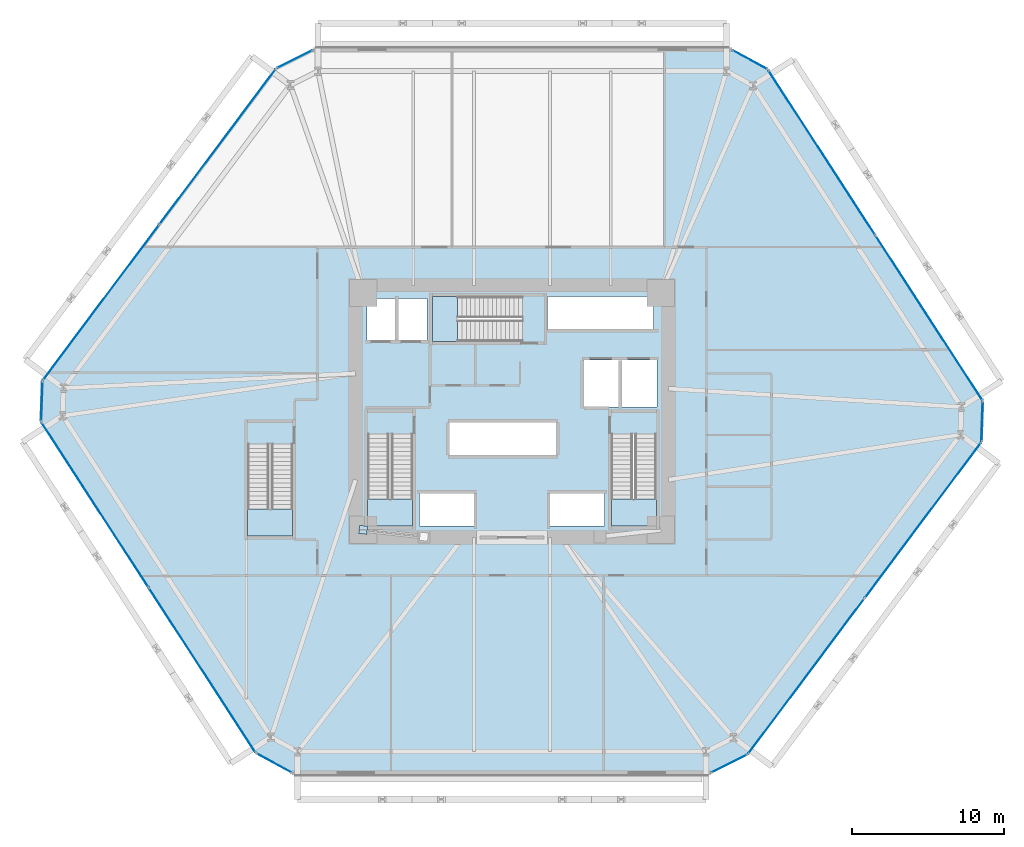
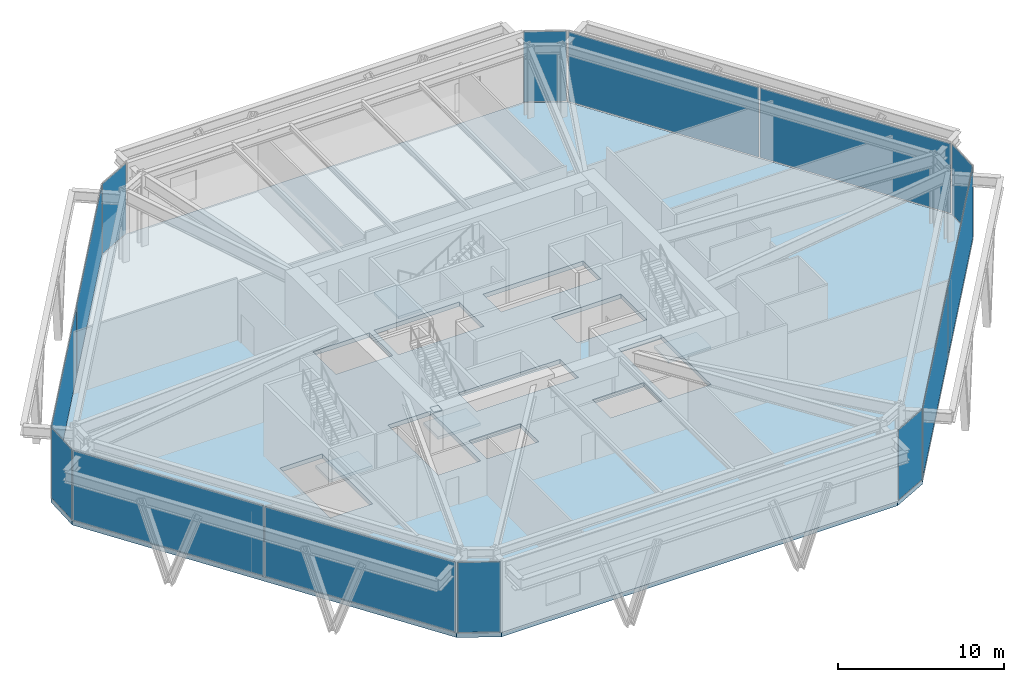
# One storey, part 12 of 19: 15 plates, 5 slabs, 14 elements without a shape of their own.
"""IFC4 building model written with IfcOpenShell, lengths in metres."""

from ifc_helpers import new_model, si_unit, direction, frame, origin, origin_2d, place, context, subcontext, project, spatial, polyline, rectangle, outline, extrude, source, transform, mapped, material, layer, layer_set, type_object, type_shapes, element, aggregate, save


model = new_model("IFC4")

# Units and contexts
model_context = context("Model", 3, precision=1e-05, world=origin(), true_north=direction((0.0, 1.0)))
body_context = subcontext(model_context, "Body", "Model", "MODEL_VIEW")
ifc_project = project(units=[si_unit("LENGTHUNIT", "METRE"), si_unit("AREAUNIT", "SQUARE_METRE"), si_unit("VOLUMEUNIT", "CUBIC_METRE"), si_unit("PLANEANGLEUNIT", "RADIAN"), si_unit("MASSUNIT", "GRAM", prefix="KILO")], contexts=[model_context])

# Site, building, storey
site_placement = place(None, origin())
site = spatial("IfcSite", under=ifc_project, at=site_placement, CompositionType="ELEMENT")
building_placement = place(site_placement, origin())
building = spatial("IfcBuilding", under=site, at=building_placement, Name="Durnholm Broadcast Tower", CompositionType="ELEMENT")
storey_placement = place(building_placement, frame((0.0, 0.0, 15.60009765625)))
storey = spatial("IfcBuildingStorey", under=building, at=storey_placement, Name="L03", CompositionType="ELEMENT", Elevation=15.60009765625)

# Slab
ifc_material_1 = material(Name="Concrete C50/60", Category="concrete")
ifc_layer_1 = layer(ifc_material_1, 0.320068359375)
ifc_layer_set_1 = layer_set([ifc_layer_1], Name="Concrete C50/60")
slab_type_1 = type_object("IfcSlabType", Name="SLAB-FLR-320", PredefinedType="FLOOR", material=ifc_layer_set_1)
slab_1_placement = place(storey_placement, frame((0.0, 0.0, -0.320068359375)))
element("IfcSlab", 1, at=slab_1_placement, inside=storey, type_object=slab_type_1, Name="L03 structural floor slab", PredefinedType="FLOOR", context=body_context, shape_type="SweptSolid", body=[
    extrude(outline(polyline([(-16.847412109375, -22.510986328125), (-14.47509765625, -23.800048828125), (13.102783203125, -23.800048828125), (15.51708984375, -22.59130859375), (30.913818359375, -2.01708984375), (31.00439453125, 0.681396484375), (16.847412109375, 22.510986328125), (14.47509765625, 23.800048828125), (-13.102783203125, 23.800048828125), (-15.51708984375, 22.59130859375), (-30.913818359375, 2.01708984375), (-31.00439453125, -0.681396484375), (-16.847412109375, -22.510986328125)]), holes=[polyline([(-2.5, -5.35009765625), (-6.10009765625, -5.35009765625), (-6.10009765625, -7.550048828125), (-2.5, -7.550048828125), (-2.5, -5.35009765625)]), polyline([(6.10009765625, -5.35009765625), (2.5, -5.35009765625), (2.5, -7.550048828125), (6.10009765625, -7.550048828125), (6.10009765625, -5.35009765625)]), polyline([(-14.43994140625, -8.199951171875), (-14.43994140625, -2.14990234375), (-17.39990234375, -2.14990234375), (-17.39990234375, -8.199951171875), (-14.43994140625, -8.199951171875)]), polyline([(-9.5, -7.550048828125), (-6.5400390625, -7.550048828125), (-6.5400390625, -1.5), (-9.5, -1.5), (-9.5, -7.550048828125)]), polyline([(6.5400390625, -7.550048828125), (9.5, -7.550048828125), (9.5, -1.5), (6.5400390625, -1.5), (6.5400390625, -7.550048828125)]), polyline([(2.949951171875, -0.699951171875), (-4.14990234375, -0.699951171875), (-4.14990234375, -2.89990234375), (2.949951171875, -2.89990234375), (2.949951171875, -0.699951171875)]), polyline([(9.550048828125, 3.39990234375), (4.699951171875, 3.39990234375), (4.699951171875, 0.300048828125), (9.550048828125, 0.300048828125), (9.550048828125, 3.39990234375)]), polyline([(-5.60009765625, 7.449951171875), (-9.550048828125, 7.449951171875), (-9.550048828125, 4.699951171875), (-5.60009765625, 4.699951171875), (-5.60009765625, 7.449951171875)]), polyline([(-5.25, 7.56005859375), (-5.25, 4.60009765625), (0.699951171875, 4.60009765625), (0.699951171875, 7.56005859375), (-5.25, 7.56005859375)]), polyline([(9.31005859375, 5.39990234375), (9.31005859375, 7.550048828125), (2.35009765625, 7.550048828125), (2.35009765625, 5.39990234375), (9.31005859375, 5.39990234375)])]), origin(), (0.0, 0.0, 1.0), 0.320068359375),
])

# Stair, slab
stair_type = type_object("IfcStairType", Name="STAIR-DL-32R1750", PredefinedType="HALF_TURN_STAIR", material=ifc_material_1)
stair_1_placement = place(storey_placement, origin())
stair_1 = element("IfcStair", 2, at=stair_1_placement, inside=storey, type_object=stair_type, Name="L03 ST-1", PredefinedType="HALF_TURN_STAIR")
ifc_layer_2 = layer(ifc_material_1, 0.199951171875)
ifc_layer_set_2 = layer_set([ifc_layer_2], Name="Concrete C50/60")
slab_type_2 = type_object("IfcSlabType", Name="SLAB-LND-200", PredefinedType="LANDING", material=ifc_layer_set_2)
slab_2_placement = place(storey_placement, frame((0.0, 0.0, 2.599853515625)))
slab_2 = element("IfcSlab", 3, at=slab_2_placement, type_object=slab_type_2, Name="ST-1 landing 1", PredefinedType="LANDING", context=body_context, shape_type="SweptSolid", body=[
    extrude(outline(polyline([(-9.5, -5.77490234375), (-9.5, -7.550048828125), (-6.5400390625, -7.550048828125), (-6.5400390625, -5.77490234375), (-9.5, -5.77490234375)])), origin(), (0.0, 0.0, 1.0), 0.199951171875),
])
aggregate(stair_1, [slab_2])

stair_2_placement = place(storey_placement, origin())
stair_2 = element("IfcStair", 4, at=stair_2_placement, inside=storey, type_object=stair_type, Name="L03 ST-2", PredefinedType="HALF_TURN_STAIR")
slab_3_placement = place(storey_placement, frame((0.0, 0.0, 2.599853515625)))
slab_3 = element("IfcSlab", 5, at=slab_3_placement, type_object=slab_type_2, Name="ST-2 landing 1", PredefinedType="LANDING", context=body_context, shape_type="SweptSolid", body=[
    extrude(outline(polyline([(6.5400390625, -5.77490234375), (6.5400390625, -7.550048828125), (9.5, -7.550048828125), (9.5, -5.77490234375), (6.5400390625, -5.77490234375)])), origin(), (0.0, 0.0, 1.0), 0.199951171875),
])
aggregate(stair_2, [slab_3])

stair_3_placement = place(storey_placement, origin())
stair_3 = element("IfcStair", 6, at=stair_3_placement, inside=storey, type_object=stair_type, Name="L03 ST-3", PredefinedType="HALF_TURN_STAIR")
slab_4_placement = place(storey_placement, frame((0.0, 0.0, 2.599853515625)))
slab_4 = element("IfcSlab", 7, at=slab_4_placement, type_object=slab_type_2, Name="ST-3 landing 1", PredefinedType="LANDING", context=body_context, shape_type="SweptSolid", body=[
    extrude(outline(polyline([(-3.574951171875, 7.56005859375), (-5.25, 7.56005859375), (-5.25, 4.60009765625), (-3.574951171875, 4.60009765625), (-3.574951171875, 7.56005859375)])), origin(), (0.0, 0.0, 1.0), 0.199951171875),
])
aggregate(stair_3, [slab_4])

stair_4_placement = place(storey_placement, origin())
stair_4 = element("IfcStair", 8, at=stair_4_placement, inside=storey, type_object=stair_type, Name="L03 ST-4", PredefinedType="HALF_TURN_STAIR")
slab_5_placement = place(storey_placement, frame((0.0, 0.0, 2.599853515625)))
slab_5 = element("IfcSlab", 9, at=slab_5_placement, type_object=slab_type_2, Name="ST-4 landing 1", PredefinedType="LANDING", context=body_context, shape_type="SweptSolid", body=[
    extrude(outline(polyline([(-17.39990234375, -6.425048828125), (-17.39990234375, -8.199951171875), (-14.43994140625, -8.199951171875), (-14.43994140625, -6.425048828125), (-17.39990234375, -6.425048828125)])), origin(), (0.0, 0.0, 1.0), 0.199951171875),
])
aggregate(stair_4, [slab_5])

# Plate
ifc_material_2 = material(Name="Steel ASTM A572 Grade 50", Category="steel")
ifc_layer_3 = layer(ifc_material_2, 0.0400390625)
ifc_layer_set_3 = layer_set([ifc_layer_3], Name="Steel ASTM A572 Grade 50")
plate_type_1 = type_object("IfcPlateType", Name="PLT-KN-CAP", PredefinedType="USERDEFINED", material=ifc_layer_set_3)
shared_shape_1 = source(origin(), body_context, "Body", "SweptSolid", [
    extrude(rectangle(XDim=0.5400390625, YDim=0.5400390625, at=origin_2d()), origin(), (0.0, 0.0, 1.0), 0.0400390625),
])
type_shapes(plate_type_1, [shared_shape_1])
plate_1_placement = place(storey_placement, frame((-9.800048828125, -7.800048828125, 5.091064453125), z_axis=(0.0, 0.0, 1.0), x_axis=(-0.99372894862, 0.111815815852, 0.0)))
element("IfcPlate", 10, at=plate_1_placement, inside=storey, type_object=plate_type_1, Name="L03 hollow section end cap plate STL-STG-L03-1 2", ObjectType="CAP_PLATE", PredefinedType="USERDEFINED", context=body_context, shape_type="MappedRepresentation", body=[
    mapped(shared_shape_1, transform((0.0, 0.0, 0.0), x_axis=(1.0, 0.0, 0.0), y_axis=(0.0, 1.0, 0.0), z_axis=(0.0, 0.0, 1.0), scale=1.0)),
])

# Curtain wall, plate
ifc_material_3 = material(Name="Aluminium and Solar Control IGU", Category="aluminium")
ifc_layer_4 = layer(ifc_material_3, 0.1650390625)
ifc_layer_set_4 = layer_set([ifc_layer_4], Name="Aluminium and Solar Control IGU")
curtain_wall_type_1 = type_object("IfcCurtainWallType", Name="CW-SYS-5", PredefinedType="NOTDEFINED", material=ifc_layer_set_4)
curtain_wall_1_placement = place(storey_placement, origin())
curtain_wall_1 = element("IfcCurtainWall", 11, at=curtain_wall_1_placement, inside=storey, type_object=curtain_wall_type_1, Name="L03 curtain wall CW-CORNER CW-L03-CRN-01", PredefinedType="NOTDEFINED")
ifc_material_4 = material(Name="Low-E Laminated Insulating Glass", Category="glass")
ifc_layer_5 = layer(ifc_material_4, 0.030029296875)
ifc_layer_set_5 = layer_set([ifc_layer_5], Name="Low-E Laminated Insulating Glass")
plate_type_2 = type_object("IfcPlateType", Name="CW-SYS-5-PNL", PredefinedType="CURTAIN_PANEL", material=ifc_layer_set_5)
shared_shape_2 = source(origin(), body_context, "Body", "SweptSolid", [
    extrude(rectangle(XDim=2.56982421875, YDim=0.030029296875, at=origin_2d()), origin(), (0.0, 0.0, 1.0), 5.14990234375),
])
plate_2_placement = place(storey_placement, frame((-30.959228515625, 0.66796875, 0.06494140625), z_axis=(0.0, 0.0, 1.0), x_axis=(0.033556543118, 0.999436820621, 0.0)))
plate_2 = element("IfcPlate", 12, at=plate_2_placement, type_object=plate_type_2, Name="CW-CORNER panel 1.1", PredefinedType="CURTAIN_PANEL", context=body_context, shape_type="MappedRepresentation", body=[
    mapped(shared_shape_2, transform((0.0, 0.0, 0.0), x_axis=(1.0, 0.0, 0.0), y_axis=(0.0, 1.0, 0.0), z_axis=(0.0, 0.0, 1.0), scale=1.0)),
])
aggregate(curtain_wall_1, [plate_2])

curtain_wall_2_placement = place(storey_placement, origin())
curtain_wall_2 = element("IfcCurtainWall", 13, at=curtain_wall_2_placement, inside=storey, type_object=curtain_wall_type_1, Name="L03 curtain wall CW-CORNER CW-L03-CRN-07", PredefinedType="NOTDEFINED")
plate_3_placement = place(storey_placement, frame((30.959228515625, -0.66796875, 0.06494140625), z_axis=(0.0, 0.0, 1.0), x_axis=(-0.033556543118, -0.999436820621, 0.0)))
plate_3 = element("IfcPlate", 14, at=plate_3_placement, type_object=plate_type_2, Name="CW-CORNER panel 1.1", PredefinedType="CURTAIN_PANEL", context=body_context, shape_type="MappedRepresentation", body=[
    mapped(shared_shape_2, transform((0.0, 0.0, 0.0), x_axis=(1.0, 0.0, 0.0), y_axis=(0.0, 1.0, 0.0), z_axis=(0.0, 0.0, 1.0), scale=1.0)),
])
aggregate(curtain_wall_2, [plate_3])

# Curtain wall, plates
ifc_layer_6 = layer(ifc_material_3, 0.219970703125)
ifc_layer_set_6 = layer_set([ifc_layer_6], Name="Aluminium and Solar Control IGU")
curtain_wall_type_2 = type_object("IfcCurtainWallType", Name="CW-SYS-2", PredefinedType="NOTDEFINED", material=ifc_layer_set_6)
curtain_wall_3_placement = place(storey_placement, origin())
curtain_wall_3 = element("IfcCurtainWall", 15, at=curtain_wall_3_placement, inside=storey, type_object=curtain_wall_type_2, Name="L03 curtain wall CW-STUDIO CW-L03-F02", PredefinedType="NOTDEFINED")
ifc_layer_7 = layer(ifc_material_4, 0.0400390625)
ifc_layer_set_7 = layer_set([ifc_layer_7], Name="Low-E Laminated Insulating Glass")
plate_type_3 = type_object("IfcPlateType", Name="CW-SYS-2-PNL", PredefinedType="CURTAIN_PANEL", material=ifc_layer_set_7)
shared_shape_3 = source(origin(), body_context, "Body", "SweptSolid", [
    extrude(rectangle(XDim=12.736328125, YDim=0.0400390625, at=origin_2d()), origin(), (0.0, 0.0, 1.0), 5.1298828125),
])
plate_4_placement = place(storey_placement, frame((-27.053466796875, 7.17578125, 0.074951171875), z_axis=(0.0, 0.0, 1.0), x_axis=(0.59915662615, 0.800631836327, 0.0)))
plate_4 = element("IfcPlate", 16, at=plate_4_placement, type_object=plate_type_3, Name="CW-STUDIO panel 1.1", PredefinedType="CURTAIN_PANEL", context=body_context, shape_type="MappedRepresentation", body=[
    mapped(shared_shape_3, transform((0.0, 0.0, 0.0), x_axis=(1.0, 0.0, 0.0), y_axis=(0.0, 1.0, 0.0), z_axis=(0.0, 0.0, 1.0), scale=1.0)),
])
plate_5_placement = place(storey_placement, frame((-19.37744140625, 17.4326171875, 0.074951171875), z_axis=(0.0, 0.0, 1.0), x_axis=(0.59915662615, 0.800631836327, 0.0)))
plate_5 = element("IfcPlate", 17, at=plate_5_placement, type_object=plate_type_3, Name="CW-STUDIO panel 2.1", PredefinedType="CURTAIN_PANEL", context=body_context, shape_type="MappedRepresentation", body=[
    mapped(shared_shape_3, transform((0.0, 0.0, 0.0), x_axis=(1.0, 0.0, 0.0), y_axis=(0.0, 1.0, 0.0), z_axis=(0.0, 0.0, 1.0), scale=1.0)),
])
aggregate(curtain_wall_3, [plate_4, plate_5])

curtain_wall_4_placement = place(storey_placement, origin())
curtain_wall_4 = element("IfcCurtainWall", 18, at=curtain_wall_4_placement, inside=storey, type_object=curtain_wall_type_2, Name="L03 curtain wall CW-STUDIO CW-L03-F08", PredefinedType="NOTDEFINED")
plate_6_placement = place(storey_placement, frame((27.053466796875, -7.17578125, 0.074951171875), z_axis=(0.0, 0.0, 1.0), x_axis=(-0.59915662615, -0.800631836327, 0.0)))
plate_6 = element("IfcPlate", 19, at=plate_6_placement, type_object=plate_type_3, Name="CW-STUDIO panel 1.1", PredefinedType="CURTAIN_PANEL", context=body_context, shape_type="MappedRepresentation", body=[
    mapped(shared_shape_3, transform((0.0, 0.0, 0.0), x_axis=(1.0, 0.0, 0.0), y_axis=(0.0, 1.0, 0.0), z_axis=(0.0, 0.0, 1.0), scale=1.0)),
])
plate_7_placement = place(storey_placement, frame((19.37744140625, -17.4326171875, 0.074951171875), z_axis=(0.0, 0.0, 1.0), x_axis=(-0.59915662615, -0.800631836327, 0.0)))
plate_7 = element("IfcPlate", 20, at=plate_7_placement, type_object=plate_type_3, Name="CW-STUDIO panel 2.1", PredefinedType="CURTAIN_PANEL", context=body_context, shape_type="MappedRepresentation", body=[
    mapped(shared_shape_3, transform((0.0, 0.0, 0.0), x_axis=(1.0, 0.0, 0.0), y_axis=(0.0, 1.0, 0.0), z_axis=(0.0, 0.0, 1.0), scale=1.0)),
])
aggregate(curtain_wall_4, [plate_6, plate_7])

# Curtain wall, plate
curtain_wall_5_placement = place(storey_placement, origin())
curtain_wall_5 = element("IfcCurtainWall", 21, at=curtain_wall_5_placement, inside=storey, type_object=curtain_wall_type_1, Name="L03 curtain wall CW-CORNER CW-L03-CRN-03", PredefinedType="NOTDEFINED")
shared_shape_4 = source(origin(), body_context, "Body", "SweptSolid", [
    extrude(rectangle(XDim=2.570068359375, YDim=0.030029296875, at=origin_2d()), origin(), (0.0, 0.0, 1.0), 5.14990234375),
])
type_shapes(plate_type_2, [shared_shape_2, shared_shape_4])
plate_8_placement = place(storey_placement, frame((-14.31005859375, 23.195556640625, 0.06494140625), z_axis=(0.0, 0.0, 1.0), x_axis=(0.894197440313, 0.447672802098, 0.0)))
plate_8 = element("IfcPlate", 22, at=plate_8_placement, type_object=plate_type_2, Name="CW-CORNER panel 1.1", PredefinedType="CURTAIN_PANEL", context=body_context, shape_type="MappedRepresentation", body=[
    mapped(shared_shape_4, transform((0.0, 0.0, 0.0), x_axis=(1.0, 0.0, 0.0), y_axis=(0.0, 1.0, 0.0), z_axis=(0.0, 0.0, 1.0), scale=1.0)),
])
aggregate(curtain_wall_5, [plate_8])

curtain_wall_6_placement = place(storey_placement, origin())
curtain_wall_6 = element("IfcCurtainWall", 23, at=curtain_wall_6_placement, inside=storey, type_object=curtain_wall_type_1, Name="L03 curtain wall CW-CORNER CW-L03-CRN-05", PredefinedType="NOTDEFINED")
plate_9_placement = place(storey_placement, frame((15.661376953125, 23.155517578125, 0.06494140625), z_axis=(0.0, 0.0, 1.0), x_axis=(0.878663016429, -0.477442460995, 0.0)))
plate_9 = element("IfcPlate", 24, at=plate_9_placement, type_object=plate_type_2, Name="CW-CORNER panel 1.1", PredefinedType="CURTAIN_PANEL", context=body_context, shape_type="MappedRepresentation", body=[
    mapped(shared_shape_4, transform((0.0, 0.0, 0.0), x_axis=(1.0, 0.0, 0.0), y_axis=(0.0, 1.0, 0.0), z_axis=(0.0, 0.0, 1.0), scale=1.0)),
])
aggregate(curtain_wall_6, [plate_9])

curtain_wall_7_placement = place(storey_placement, origin())
curtain_wall_7 = element("IfcCurtainWall", 25, at=curtain_wall_7_placement, inside=storey, type_object=curtain_wall_type_1, Name="L03 curtain wall CW-CORNER CW-L03-CRN-09", PredefinedType="NOTDEFINED")
plate_10_placement = place(storey_placement, frame((14.31005859375, -23.195556640625, 0.06494140625), z_axis=(0.0, 0.0, 1.0), x_axis=(-0.894197440313, -0.447672802098, 0.0)))
plate_10 = element("IfcPlate", 26, at=plate_10_placement, type_object=plate_type_2, Name="CW-CORNER panel 1.1", PredefinedType="CURTAIN_PANEL", context=body_context, shape_type="MappedRepresentation", body=[
    mapped(shared_shape_4, transform((0.0, 0.0, 0.0), x_axis=(1.0, 0.0, 0.0), y_axis=(0.0, 1.0, 0.0), z_axis=(0.0, 0.0, 1.0), scale=1.0)),
])
aggregate(curtain_wall_7, [plate_10])

curtain_wall_8_placement = place(storey_placement, origin())
curtain_wall_8 = element("IfcCurtainWall", 27, at=curtain_wall_8_placement, inside=storey, type_object=curtain_wall_type_1, Name="L03 curtain wall CW-CORNER CW-L03-CRN-11", PredefinedType="NOTDEFINED")
plate_11_placement = place(storey_placement, frame((-15.661376953125, -23.155517578125, 0.06494140625), z_axis=(0.0, 0.0, 1.0), x_axis=(-0.878663016429, 0.477442460995, 0.0)))
plate_11 = element("IfcPlate", 28, at=plate_11_placement, type_object=plate_type_2, Name="CW-CORNER panel 1.1", PredefinedType="CURTAIN_PANEL", context=body_context, shape_type="MappedRepresentation", body=[
    mapped(shared_shape_4, transform((0.0, 0.0, 0.0), x_axis=(1.0, 0.0, 0.0), y_axis=(0.0, 1.0, 0.0), z_axis=(0.0, 0.0, 1.0), scale=1.0)),
])
aggregate(curtain_wall_8, [plate_11])

# Curtain wall, plates
curtain_wall_9_placement = place(storey_placement, origin())
curtain_wall_9 = element("IfcCurtainWall", 29, at=curtain_wall_9_placement, inside=storey, type_object=curtain_wall_type_2, Name="L03 curtain wall CW-STUDIO CW-L03-F06", PredefinedType="NOTDEFINED")
shared_shape_5 = source(origin(), body_context, "Body", "SweptSolid", [
    extrude(rectangle(XDim=12.896728515625, YDim=0.0400390625, at=origin_2d()), origin(), (0.0, 0.0, 1.0), 5.1298828125),
])
type_shapes(plate_type_3, [shared_shape_3, shared_shape_5])
plate_12_placement = place(storey_placement, frame((20.39697265625, 17.037841796875, 0.074951171875), z_axis=(0.0, 0.0, 1.0), x_axis=(0.544116964926, -0.839009373297, 0.0)))
plate_12 = element("IfcPlate", 30, at=plate_12_placement, type_object=plate_type_3, Name="CW-STUDIO panel 1.1", PredefinedType="CURTAIN_PANEL", context=body_context, shape_type="MappedRepresentation", body=[
    mapped(shared_shape_5, transform((0.0, 0.0, 0.0), x_axis=(1.0, 0.0, 0.0), y_axis=(0.0, 1.0, 0.0), z_axis=(0.0, 0.0, 1.0), scale=1.0)),
])
plate_13_placement = place(storey_placement, frame((27.455078125, 6.154541015625, 0.074951171875), z_axis=(0.0, 0.0, 1.0), x_axis=(0.544116964926, -0.839009373297, 0.0)))
plate_13 = element("IfcPlate", 31, at=plate_13_placement, type_object=plate_type_3, Name="CW-STUDIO panel 2.1", PredefinedType="CURTAIN_PANEL", context=body_context, shape_type="MappedRepresentation", body=[
    mapped(shared_shape_5, transform((0.0, 0.0, 0.0), x_axis=(1.0, 0.0, 0.0), y_axis=(0.0, 1.0, 0.0), z_axis=(0.0, 0.0, 1.0), scale=1.0)),
])
aggregate(curtain_wall_9, [plate_12, plate_13])

curtain_wall_10_placement = place(storey_placement, origin())
curtain_wall_10 = element("IfcCurtainWall", 32, at=curtain_wall_10_placement, inside=storey, type_object=curtain_wall_type_2, Name="L03 curtain wall CW-STUDIO CW-L03-F12", PredefinedType="NOTDEFINED")
plate_14_placement = place(storey_placement, frame((-20.39697265625, -17.037841796875, 0.074951171875), z_axis=(0.0, 0.0, 1.0), x_axis=(-0.544116964926, 0.839009373297, 0.0)))
plate_14 = element("IfcPlate", 33, at=plate_14_placement, type_object=plate_type_3, Name="CW-STUDIO panel 1.1", PredefinedType="CURTAIN_PANEL", context=body_context, shape_type="MappedRepresentation", body=[
    mapped(shared_shape_5, transform((0.0, 0.0, 0.0), x_axis=(1.0, 0.0, 0.0), y_axis=(0.0, 1.0, 0.0), z_axis=(0.0, 0.0, 1.0), scale=1.0)),
])
plate_15_placement = place(storey_placement, frame((-27.455078125, -6.154541015625, 0.074951171875), z_axis=(0.0, 0.0, 1.0), x_axis=(-0.544116964926, 0.839009373297, 0.0)))
plate_15 = element("IfcPlate", 34, at=plate_15_placement, type_object=plate_type_3, Name="CW-STUDIO panel 2.1", PredefinedType="CURTAIN_PANEL", context=body_context, shape_type="MappedRepresentation", body=[
    mapped(shared_shape_5, transform((0.0, 0.0, 0.0), x_axis=(1.0, 0.0, 0.0), y_axis=(0.0, 1.0, 0.0), z_axis=(0.0, 0.0, 1.0), scale=1.0)),
])
aggregate(curtain_wall_10, [plate_14, plate_15])

save(model, "model.ifc")
